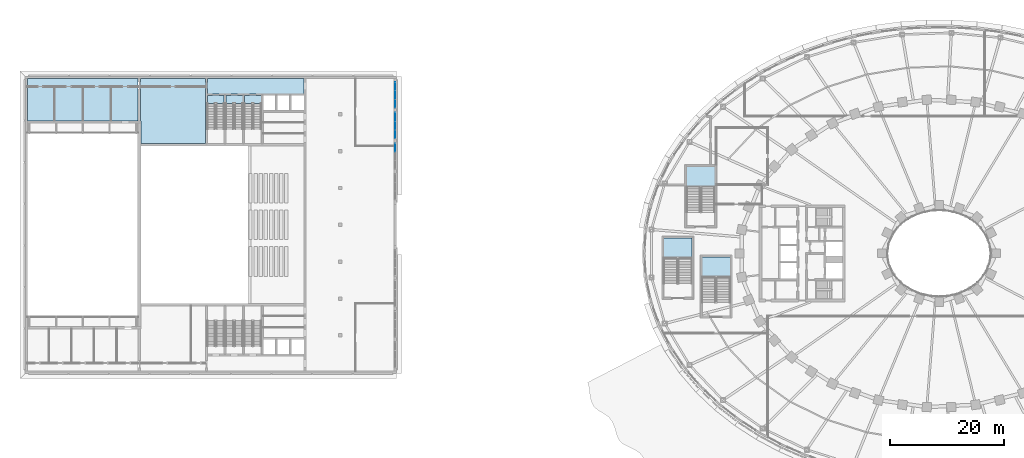
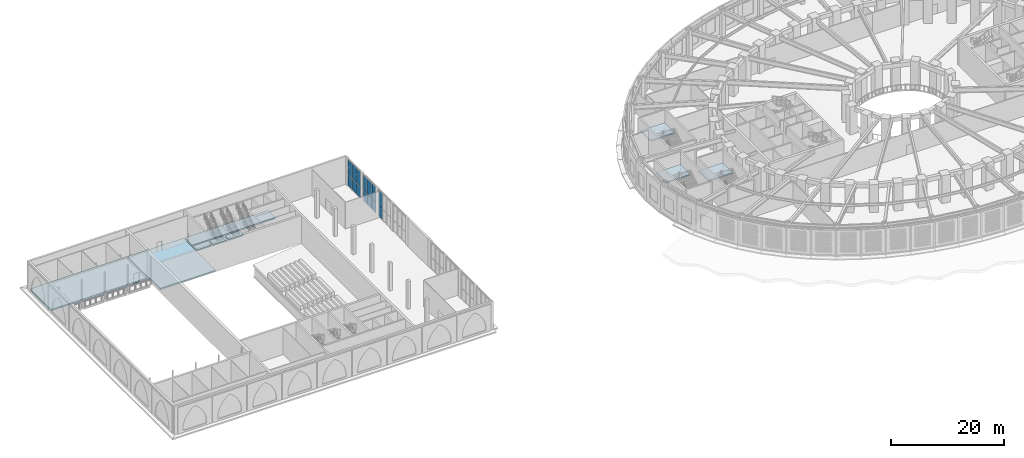
# One storey, part 15 of 74: 14 plates, 9 slabs, 6 elements without a shape of their own.
"""IFC4 building model written with IfcOpenShell, lengths in metres."""

from ifc_helpers import new_model, si_unit, direction, frame, origin, origin_2d, place, context, subcontext, project, spatial, polyline, rectangle, outline, extrude, material, layer, layer_set, type_object, element, aggregate, save


model = new_model("IFC4")

# Units and contexts
model_context = context("Model", 3, precision=1e-05, world=origin(), true_north=direction((0.0, 1.0)))
body_context = subcontext(model_context, "Body", "Model", "MODEL_VIEW")
ifc_project = project(units=[si_unit("LENGTHUNIT", "METRE"), si_unit("AREAUNIT", "SQUARE_METRE"), si_unit("VOLUMEUNIT", "CUBIC_METRE"), si_unit("PLANEANGLEUNIT", "RADIAN"), si_unit("MASSUNIT", "GRAM", prefix="KILO")], contexts=[model_context])

# Site, building, storey
site_placement = place(None, origin())
site = spatial("IfcSite", under=ifc_project, at=site_placement, CompositionType="ELEMENT")
building_placement = place(site_placement, origin())
building = spatial("IfcBuilding", under=site, at=building_placement, Name="Noorbagh Ring Tower", CompositionType="ELEMENT")
storey_placement = place(building_placement, frame((0.0, 0.0, 7.5)))
storey = spatial("IfcBuildingStorey", under=building, at=storey_placement, Name="L01", CompositionType="ELEMENT", Elevation=7.5)

# Stair, slab
ifc_material_1 = material(Name="Concrete C40/50", Category="concrete")
stair_type = type_object("IfcStairType", Name="GND-STAIR", PredefinedType="HALF_TURN_STAIR", material=ifc_material_1)
stair_1_placement = place(storey_placement, origin())
stair_1 = element("IfcStair", 1, at=stair_1_placement, inside=storey, type_object=stair_type, Name="L01 exit stair ST-P1", PredefinedType="HALF_TURN_STAIR")
ifc_material_2 = material(Name="Concrete C40/50", Category="concrete")
ifc_layer_1 = layer(ifc_material_2, 0.25)
ifc_layer_set_1 = layer_set([ifc_layer_1], Name="Concrete C40/50")
slab_type_1 = type_object("IfcSlabType", Name="GND-STAIR-LANDING", PredefinedType="LANDING", material=ifc_layer_set_1)
slab_1_placement = place(storey_placement, frame((0.0, 0.0, 2.75)))
slab_1 = element("IfcSlab", 2, at=slab_1_placement, type_object=slab_type_1, Name="ST-P1 landing 1", PredefinedType="LANDING", context=body_context, shape_type="SweptSolid", body=[
    extrude(outline(polyline([(-36.550048828125, -4.1201171875), (-36.550048828125, -0.60009765625), (-41.5, -0.60009765625), (-41.5, -4.1201171875), (-36.550048828125, -4.1201171875)])), origin(), (0.0, 0.0, 1.0), 0.25),
])
aggregate(stair_1, [slab_1])

stair_2_placement = place(storey_placement, origin())
stair_2 = element("IfcStair", 3, at=stair_2_placement, inside=storey, type_object=stair_type, Name="L01 exit stair ST-P3", PredefinedType="HALF_TURN_STAIR")
slab_2_placement = place(storey_placement, frame((0.0, 0.0, 2.75)))
slab_2 = element("IfcSlab", 4, at=slab_2_placement, type_object=slab_type_1, Name="ST-P3 landing 1", PredefinedType="LANDING", context=body_context, shape_type="SweptSolid", body=[
    extrude(outline(polyline([(-43.25, -0.820068359375), (-43.25, 2.699951171875), (-48.199951171875, 2.699951171875), (-48.199951171875, -0.820068359375), (-43.25, -0.820068359375)])), origin(), (0.0, 0.0, 1.0), 0.25),
])
aggregate(stair_2, [slab_2])

stair_3_placement = place(storey_placement, origin())
stair_3 = element("IfcStair", 5, at=stair_3_placement, inside=storey, type_object=stair_type, Name="L01 exit stair ST-P7", PredefinedType="HALF_TURN_STAIR")
slab_3_placement = place(storey_placement, frame((0.0, 0.0, 2.75)))
slab_3 = element("IfcSlab", 6, at=slab_3_placement, type_object=slab_type_1, Name="ST-P7 landing 1", PredefinedType="LANDING", context=body_context, shape_type="SweptSolid", body=[
    extrude(outline(polyline([(-39.25, 11.679931640625), (-39.25, 15.199951171875), (-44.199951171875, 15.199951171875), (-44.199951171875, 11.679931640625), (-39.25, 11.679931640625)])), origin(), (0.0, 0.0, 1.0), 0.25),
])
aggregate(stair_3, [slab_3])

# Curtain wall, plates
ifc_material_3 = material(Name="Aluminium and glass", Category="aluminium")
ifc_layer_2 = layer(ifc_material_3, 0.199951171875)
ifc_layer_set_2 = layer_set([ifc_layer_2], Name="Aluminium and glass")
curtain_wall_type = type_object("IfcCurtainWallType", Name="TH-CW", PredefinedType="NOTDEFINED", material=ifc_layer_set_2)
curtain_wall_1_placement = place(storey_placement, origin())
curtain_wall_1 = element("IfcCurtainWall", 7, at=curtain_wall_1_placement, inside=storey, type_object=curtain_wall_type, Name="Foyer glazing", PredefinedType="NOTDEFINED")
ifc_material_4 = material(Name="Clear laminated glass", Category="glass")
ifc_layer_3 = layer(ifc_material_4, 0.028076171875)
ifc_layer_set_3 = layer_set([ifc_layer_3], Name="Clear laminated glass")
plate_type = type_object("IfcPlateType", Name="TH-CW-PANEL", PredefinedType="CURTAIN_PANEL", material=ifc_layer_set_3)
plate_1_placement = place(storey_placement, frame((-95.199951171875, 18.526611328125, 0.06005859375), z_axis=(0.0, 0.0, 1.0), x_axis=(0.0, 1.0, 0.0)))
plate_1 = element("IfcPlate", 8, at=plate_1_placement, type_object=plate_type, Name="CW-T panel 3.1", PredefinedType="CURTAIN_PANEL", context=body_context, shape_type="SweptSolid", body=[
    extrude(rectangle(XDim=1.4267578125, YDim=0.028076171875, at=origin_2d()), origin(), (0.0, 0.0, 1.0), 2.31005859375),
])
plate_2_placement = place(storey_placement, frame((-95.199951171875, 18.526611328125, 2.429931640625), z_axis=(0.0, 0.0, 1.0), x_axis=(0.0, 1.0, 0.0)))
plate_2 = element("IfcPlate", 9, at=plate_2_placement, type_object=plate_type, Name="CW-T panel 3.2", PredefinedType="CURTAIN_PANEL", context=body_context, shape_type="SweptSolid", body=[
    extrude(rectangle(XDim=1.4267578125, YDim=0.028076171875, at=origin_2d()), origin(), (0.0, 0.0, 1.0), 3.2099609375),
])
aggregate(curtain_wall_1, [plate_1, plate_2])

curtain_wall_2_placement = place(storey_placement, origin())
curtain_wall_2 = element("IfcCurtainWall", 10, at=curtain_wall_2_placement, inside=storey, type_object=curtain_wall_type, Name="Foyer glazing", PredefinedType="NOTDEFINED")
plate_3_placement = place(storey_placement, frame((-95.199951171875, 20.873291015625, 0.06005859375), z_axis=(0.0, 0.0, 1.0), x_axis=(0.0, 1.0, 0.0)))
plate_3 = element("IfcPlate", 11, at=plate_3_placement, type_object=plate_type, Name="CW-T panel 1.1", PredefinedType="CURTAIN_PANEL", context=body_context, shape_type="SweptSolid", body=[
    extrude(rectangle(XDim=1.4267578125, YDim=0.028076171875, at=origin_2d()), origin(), (0.0, 0.0, 1.0), 2.31005859375),
])
plate_4_placement = place(storey_placement, frame((-95.199951171875, 20.873291015625, 2.429931640625), z_axis=(0.0, 0.0, 1.0), x_axis=(0.0, 1.0, 0.0)))
plate_4 = element("IfcPlate", 12, at=plate_4_placement, type_object=plate_type, Name="CW-T panel 1.2", PredefinedType="CURTAIN_PANEL", context=body_context, shape_type="SweptSolid", body=[
    extrude(rectangle(XDim=1.4267578125, YDim=0.028076171875, at=origin_2d()), origin(), (0.0, 0.0, 1.0), 3.2099609375),
])
plate_5_placement = place(storey_placement, frame((-95.199951171875, 22.375, 0.06005859375), z_axis=(0.0, 0.0, 1.0), x_axis=(0.0, 1.0, 0.0)))
plate_5 = element("IfcPlate", 13, at=plate_5_placement, type_object=plate_type, Name="CW-T panel 2.1", PredefinedType="CURTAIN_PANEL", context=body_context, shape_type="SweptSolid", body=[
    extrude(rectangle(XDim=1.456787109375, YDim=0.028076171875, at=origin_2d()), origin(), (0.0, 0.0, 1.0), 2.31005859375),
])
plate_6_placement = place(storey_placement, frame((-95.199951171875, 22.375, 2.429931640625), z_axis=(0.0, 0.0, 1.0), x_axis=(0.0, 1.0, 0.0)))
plate_6 = element("IfcPlate", 14, at=plate_6_placement, type_object=plate_type, Name="CW-T panel 2.2", PredefinedType="CURTAIN_PANEL", context=body_context, shape_type="SweptSolid", body=[
    extrude(rectangle(XDim=1.456787109375, YDim=0.028076171875, at=origin_2d()), origin(), (0.0, 0.0, 1.0), 3.2099609375),
])
plate_7_placement = place(storey_placement, frame((-95.199951171875, 23.876708984375, 0.06005859375), z_axis=(0.0, 0.0, 1.0), x_axis=(0.0, 1.0, 0.0)))
plate_7 = element("IfcPlate", 15, at=plate_7_placement, type_object=plate_type, Name="CW-T panel 3.1", PredefinedType="CURTAIN_PANEL", context=body_context, shape_type="SweptSolid", body=[
    extrude(rectangle(XDim=1.4267578125, YDim=0.028076171875, at=origin_2d()), origin(), (0.0, 0.0, 1.0), 2.31005859375),
])
plate_8_placement = place(storey_placement, frame((-95.199951171875, 23.876708984375, 2.429931640625), z_axis=(0.0, 0.0, 1.0), x_axis=(0.0, 1.0, 0.0)))
plate_8 = element("IfcPlate", 16, at=plate_8_placement, type_object=plate_type, Name="CW-T panel 3.2", PredefinedType="CURTAIN_PANEL", context=body_context, shape_type="SweptSolid", body=[
    extrude(rectangle(XDim=1.4267578125, YDim=0.028076171875, at=origin_2d()), origin(), (0.0, 0.0, 1.0), 3.2099609375),
])
aggregate(curtain_wall_2, [plate_3, plate_4, plate_5, plate_6, plate_7, plate_8])

curtain_wall_3_placement = place(storey_placement, origin())
curtain_wall_3 = element("IfcCurtainWall", 17, at=curtain_wall_3_placement, inside=storey, type_object=curtain_wall_type, Name="Foyer glazing", PredefinedType="NOTDEFINED")
plate_9_placement = place(storey_placement, frame((-95.199951171875, 26.223388671875, 0.06005859375), z_axis=(0.0, 0.0, 1.0), x_axis=(0.0, 1.0, 0.0)))
plate_9 = element("IfcPlate", 18, at=plate_9_placement, type_object=plate_type, Name="CW-T panel 1.1", PredefinedType="CURTAIN_PANEL", context=body_context, shape_type="SweptSolid", body=[
    extrude(rectangle(XDim=1.4267578125, YDim=0.028076171875, at=origin_2d()), origin(), (0.0, 0.0, 1.0), 2.31005859375),
])
plate_10_placement = place(storey_placement, frame((-95.199951171875, 26.223388671875, 2.429931640625), z_axis=(0.0, 0.0, 1.0), x_axis=(0.0, 1.0, 0.0)))
plate_10 = element("IfcPlate", 19, at=plate_10_placement, type_object=plate_type, Name="CW-T panel 1.2", PredefinedType="CURTAIN_PANEL", context=body_context, shape_type="SweptSolid", body=[
    extrude(rectangle(XDim=1.4267578125, YDim=0.028076171875, at=origin_2d()), origin(), (0.0, 0.0, 1.0), 3.2099609375),
])
plate_11_placement = place(storey_placement, frame((-95.199951171875, 27.72509765625, 0.06005859375), z_axis=(0.0, 0.0, 1.0), x_axis=(0.0, 1.0, 0.0)))
plate_11 = element("IfcPlate", 20, at=plate_11_placement, type_object=plate_type, Name="CW-T panel 2.1", PredefinedType="CURTAIN_PANEL", context=body_context, shape_type="SweptSolid", body=[
    extrude(rectangle(XDim=1.456787109375, YDim=0.028076171875, at=origin_2d()), origin(), (0.0, 0.0, 1.0), 2.31005859375),
])
plate_12_placement = place(storey_placement, frame((-95.199951171875, 27.72509765625, 2.429931640625), z_axis=(0.0, 0.0, 1.0), x_axis=(0.0, 1.0, 0.0)))
plate_12 = element("IfcPlate", 21, at=plate_12_placement, type_object=plate_type, Name="CW-T panel 2.2", PredefinedType="CURTAIN_PANEL", context=body_context, shape_type="SweptSolid", body=[
    extrude(rectangle(XDim=1.456787109375, YDim=0.028076171875, at=origin_2d()), origin(), (0.0, 0.0, 1.0), 3.2099609375),
])
plate_13_placement = place(storey_placement, frame((-95.199951171875, 29.2265625, 0.06005859375), z_axis=(0.0, 0.0, 1.0), x_axis=(0.0, 1.0, 0.0)))
plate_13 = element("IfcPlate", 22, at=plate_13_placement, type_object=plate_type, Name="CW-T panel 3.1", PredefinedType="CURTAIN_PANEL", context=body_context, shape_type="SweptSolid", body=[
    extrude(rectangle(XDim=1.4267578125, YDim=0.028076171875, at=origin_2d()), origin(), (0.0, 0.0, 1.0), 2.31005859375),
])
plate_14_placement = place(storey_placement, frame((-95.199951171875, 29.2265625, 2.429931640625), z_axis=(0.0, 0.0, 1.0), x_axis=(0.0, 1.0, 0.0)))
plate_14 = element("IfcPlate", 23, at=plate_14_placement, type_object=plate_type, Name="CW-T panel 3.2", PredefinedType="CURTAIN_PANEL", context=body_context, shape_type="SweptSolid", body=[
    extrude(rectangle(XDim=1.4267578125, YDim=0.028076171875, at=origin_2d()), origin(), (0.0, 0.0, 1.0), 3.2099609375),
])
aggregate(curtain_wall_3, [plate_9, plate_10, plate_11, plate_12, plate_13, plate_14])

# Slabs
ifc_material_5 = material(Name="Concrete C40/50", Category="concrete")
ifc_layer_4 = layer(ifc_material_5, 0.300048828125)
ifc_layer_set_4 = layer_set([ifc_layer_4], Name="Concrete C40/50")
slab_type_2 = type_object("IfcSlabType", Name="TH-SLAB-FLOOR", PredefinedType="FLOOR", material=ifc_layer_set_4)
slab_4_placement = place(storey_placement, frame((0.0, 0.0, -0.300048828125)))
element("IfcSlab", 24, at=slab_4_placement, inside=storey, type_object=slab_type_2, Name="Floor slab", PredefinedType="FLOOR", context=body_context, shape_type="SweptSolid", body=[
    extrude(outline(polyline([(-159.60009765625, 30.60009765625), (-159.60009765625, 23.199951171875), (-140.199951171875, 23.199951171875), (-140.199951171875, 30.60009765625), (-159.60009765625, 30.60009765625)])), origin(), (0.0, 0.0, 1.0), 0.300048828125),
])
slab_5_placement = place(storey_placement, frame((0.0, 0.0, -0.300048828125)))
element("IfcSlab", 25, at=slab_5_placement, inside=storey, type_object=slab_type_2, Name="Floor slab", PredefinedType="FLOOR", context=body_context, shape_type="SweptSolid", body=[
    extrude(outline(polyline([(-139.699951171875, 19.199951171875), (-128.39990234375, 19.199951171875), (-128.39990234375, 30.60009765625), (-139.800048828125, 30.60009765625), (-139.800048828125, 23.199951171875), (-139.699951171875, 23.199951171875), (-139.699951171875, 22.800048828125), (-139.699951171875, 19.199951171875)])), origin(), (0.0, 0.0, 1.0), 0.300048828125),
])
slab_6_placement = place(storey_placement, frame((0.0, 0.0, -0.300048828125)))
element("IfcSlab", 26, at=slab_6_placement, inside=storey, type_object=slab_type_2, Name="Floor slab", PredefinedType="FLOOR", context=body_context, shape_type="SweptSolid", body=[
    extrude(outline(polyline([(-125.14990234375, 27.64990234375), (-128.10009765625, 27.64990234375), (-128.10009765625, 26.24951171875), (-125.14990234375, 26.24951171875), (-125.14990234375, 27.64990234375)])), origin(), (0.0, 0.0, 1.0), 0.300048828125),
])
slab_7_placement = place(storey_placement, frame((0.0, 0.0, -0.300048828125)))
element("IfcSlab", 27, at=slab_7_placement, inside=storey, type_object=slab_type_2, Name="Floor slab", PredefinedType="FLOOR", context=body_context, shape_type="SweptSolid", body=[
    extrude(outline(polyline([(-121.89990234375, 27.64990234375), (-124.85009765625, 27.64990234375), (-124.85009765625, 26.24951171875), (-121.89990234375, 26.24951171875), (-121.89990234375, 27.64990234375)])), origin(), (0.0, 0.0, 1.0), 0.300048828125),
])
slab_8_placement = place(storey_placement, frame((0.0, 0.0, -0.300048828125)))
element("IfcSlab", 28, at=slab_8_placement, inside=storey, type_object=slab_type_2, Name="Floor slab", PredefinedType="FLOOR", context=body_context, shape_type="SweptSolid", body=[
    extrude(outline(polyline([(-121.60009765625, 27.64990234375), (-121.60009765625, 26.24951171875), (-118.64990234375, 26.24951171875), (-118.64990234375, 27.64990234375), (-121.60009765625, 27.64990234375)])), origin(), (0.0, 0.0, 1.0), 0.300048828125),
])
slab_9_placement = place(storey_placement, frame((0.0, 0.0, -0.300048828125)))
element("IfcSlab", 29, at=slab_9_placement, inside=storey, type_object=slab_type_2, Name="Floor slab", PredefinedType="FLOOR", context=body_context, shape_type="SweptSolid", body=[
    extrude(outline(polyline([(-111.199951171875, 27.949951171875), (-111.199951171875, 30.60009765625), (-128.10009765625, 30.60009765625), (-128.10009765625, 27.949951171875), (-111.199951171875, 27.949951171875)])), origin(), (0.0, 0.0, 1.0), 0.300048828125),
])

save(model, "model.ifc")
